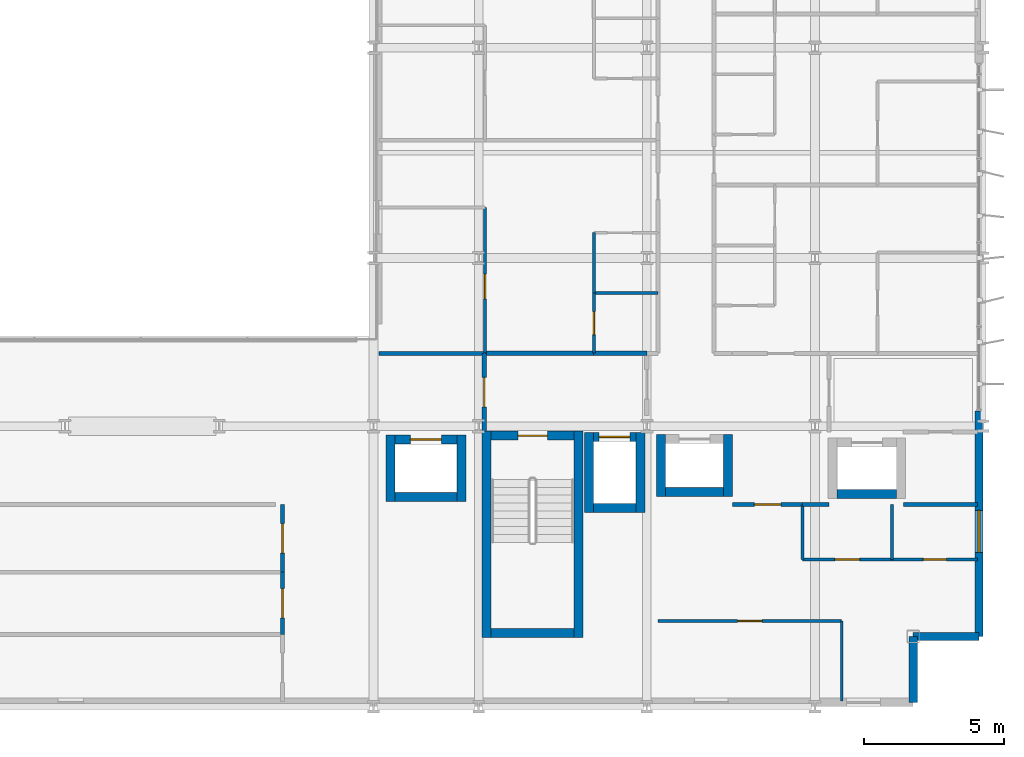
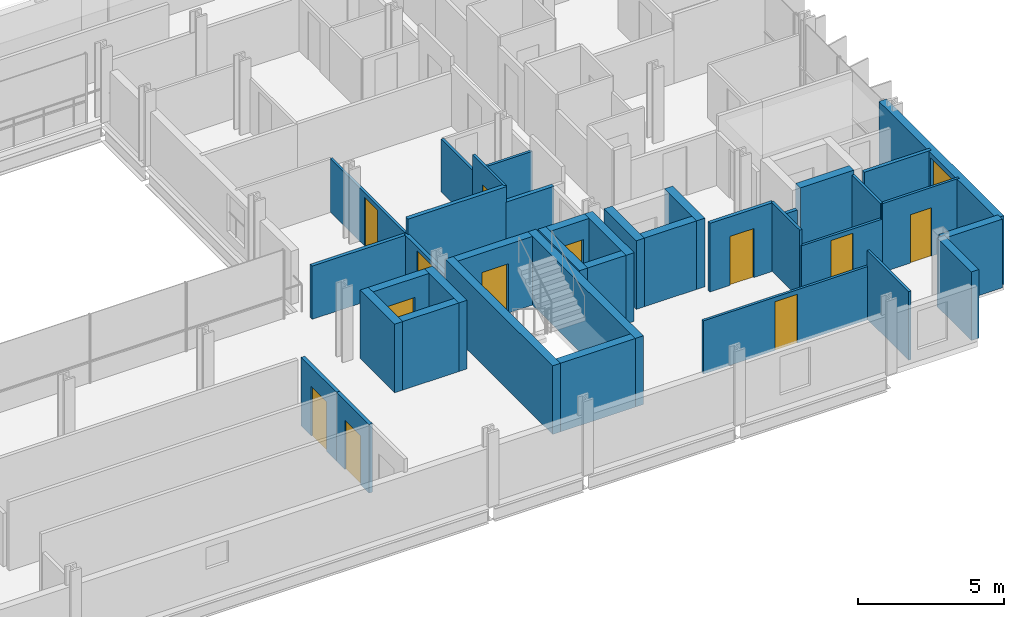
# One storey, part 30 of 39: 38 walls, 12 doors, 1 window, 13 openings.
"""IFC4 building model written with IfcOpenShell, lengths in metres."""

from ifc_helpers import new_model, si_unit, direction, frame, frame_2d, origin, place, context, subcontext, project, spatial, rectangle, extrude, material, layer, layer_set, type_object, element, fill, save


model = new_model("IFC4")

# Units and contexts
model_context = context("Model", 3, precision=1e-05, world=origin(), true_north=direction((0.0, 1.0)))
body_context = subcontext(model_context, "Body", "Model", "MODEL_VIEW")
ifc_project = project(units=[si_unit("LENGTHUNIT", "METRE"), si_unit("AREAUNIT", "SQUARE_METRE"), si_unit("VOLUMEUNIT", "CUBIC_METRE"), si_unit("PLANEANGLEUNIT", "RADIAN"), si_unit("MASSUNIT", "GRAM", prefix="KILO")], contexts=[model_context])

# Site, building, storey
site_placement = place(None, origin())
site = spatial("IfcSite", under=ifc_project, at=site_placement, CompositionType="ELEMENT")
building_placement = place(site_placement, origin())
building = spatial("IfcBuilding", under=site, at=building_placement, Name="Brevholm Reach", CompositionType="ELEMENT")
storey_placement = place(building_placement, frame((0.0, 0.0, 34.199951171875)))
storey = spatial("IfcBuildingStorey", under=building, at=storey_placement, Name="L08", CompositionType="ELEMENT", Elevation=34.199951171875)

# Walls
ifc_material_1 = material(Name="Concrete C60/75", Category="concrete")
ifc_layer_1 = layer(ifc_material_1, 0.320068359375)
ifc_layer_set_1 = layer_set([ifc_layer_1], Name="Concrete C60/75")
wall_type_1 = type_object("IfcWallType", Name="WAL-COR-320", PredefinedType="SHEAR", material=ifc_layer_set_1)
for number, where, z_axis, x_axis, name in (
    (1, (42.2900390625, 2.4599609375, 0.0), (0.0, 0.0, 1.0), (0.0, 1.0, 0.0), "L08 Escape Stair ST-2 Core Wall W"),
    (2, (45.56005859375, 2.4599609375, 0.0), (0.0, 0.0, 1.0), (0.0, 1.0, 0.0), "L08 Escape Stair ST-2 Core Wall E"),
):
    element("IfcWall", number, at=place(storey_placement, frame(where, z_axis=z_axis, x_axis=x_axis)), inside=storey, type_object=wall_type_1, Name=name, PredefinedType="SHEAR", context=body_context, shape_type="SweptSolid", body=[
        extrude(rectangle(XDim=7.360107421875, YDim=0.320068359375, at=frame_2d((3.68017578125, 0.0))), origin(), (0.0, 0.0, 1.0), 2.8701171875),
    ])
wall_1_placement = place(storey_placement, frame((42.449951171875, 2.6201171875, 0.0), z_axis=(0.0, 0.0, 1.0), x_axis=(1.0, 0.0, 0.0)))
element("IfcWall", 3, at=wall_1_placement, inside=storey, type_object=wall_type_1, Name="L08 Escape Stair ST-2 Core Wall S", PredefinedType="SHEAR", context=body_context, shape_type="SweptSolid", body=[
    extrude(rectangle(XDim=2.949951171875, YDim=0.320068359375, at=frame_2d((1.47509765625, 0.0))), origin(), (0.0, 0.0, 1.0), 2.8701171875),
])

# Wall, opening, door
wall_2_placement = place(storey_placement, frame((45.39990234375, 9.659912109375, 0.0), z_axis=(0.0, 0.0, 1.0), x_axis=(-1.0, 0.0, 0.0)))
wall_2 = element("IfcWall", 4, at=wall_2_placement, inside=storey, type_object=wall_type_1, Name="L08 Escape Stair ST-2 Core Wall N", PredefinedType="SHEAR", context=body_context, shape_type="SweptSolid", body=[
    extrude(rectangle(XDim=2.949951171875, YDim=0.320068359375, at=frame_2d((1.47509765625, 0.0))), origin(), (0.0, 0.0, 1.0), 2.8701171875),
])
opening_1_placement = place(wall_2_placement, frame((0.949951171875, 0.0, 0.0)))
opening_1 = element("IfcOpeningElement", 5, at=opening_1_placement, cuts=wall_2, Name="Opening SD-ST-2", PredefinedType="OPENING", context=body_context, shape_type="SweptSolid", body=[
    extrude(rectangle(XDim=1.050048828125, YDim=2.06005859375, at=frame_2d((0.52490234375, 1.030029296875))), frame((0.0, 0.169921875, 0.0), z_axis=(0.0, -1.0, 0.0), x_axis=(1.0, 0.0, 0.0)), (0.0, 0.0, 1.0), 0.340087890625),
])
ifc_material_2 = material(Name="Hardwood-Lipped Steel-Core Fire and Smoke Door", Category="steel")
door_type_1 = type_object("IfcDoorType", Name="DOR-INT-FD60S", OperationType="NOTDEFINED", PredefinedType="DOOR", material=ifc_material_2)
door_1_placement = place(opening_1_placement, origin())
door_1 = element("IfcDoor", 6, at=door_1_placement, inside=storey, type_object=door_type_1, Name="L08 Protected Stair ST-2 Lobby Door", OperationType="SINGLE_SWING_LEFT", OverallHeight=2.06005859375, OverallWidth=1.050048828125, PredefinedType="DOOR", context=body_context, shape_type="SweptSolid", body=[
    extrude(rectangle(XDim=1.050048828125, YDim=2.06005859375, at=frame_2d((0.52490234375, 1.030029296875))), frame((0.0, 0.02490234375, 0.0), z_axis=(0.0, -1.0, 0.0), x_axis=(1.0, 0.0, 0.0)), (0.0, 0.0, 1.0), 0.050048828125),
])
fill(opening_1, door_1)

# Walls
for number, where, z_axis, x_axis, name in (
    (7, (45.929931640625, 6.919921875, 0.0), (0.0, 0.0, 1.0), (0.0, 1.0, 0.0), "L08 Lift FFL-2 Shaft Wall W"),
    (8, (47.77001953125, 6.919921875, 0.0), (0.0, 0.0, 1.0), (0.0, 1.0, 0.0), "L08 Lift FFL-2 Shaft Wall E"),
):
    element("IfcWall", number, at=place(storey_placement, frame(where, z_axis=z_axis, x_axis=x_axis)), inside=storey, type_object=wall_type_1, Name=name, PredefinedType="SHEAR", context=body_context, shape_type="SweptSolid", body=[
        extrude(rectangle(XDim=2.860107421875, YDim=0.320068359375, at=frame_2d((1.43017578125, 0.0))), origin(), (0.0, 0.0, 1.0), 2.8701171875),
    ])
wall_3_placement = place(storey_placement, frame((46.090087890625, 7.080078125, 0.0), z_axis=(0.0, 0.0, 1.0), x_axis=(1.0, 0.0, 0.0)))
element("IfcWall", 9, at=wall_3_placement, inside=storey, type_object=wall_type_1, Name="L08 Lift FFL-2 Shaft Wall S", PredefinedType="SHEAR", context=body_context, shape_type="SweptSolid", body=[
    extrude(rectangle(XDim=1.52001953125, YDim=0.320068359375, at=frame_2d((0.760009765625, 0.0))), origin(), (0.0, 0.0, 1.0), 2.8701171875),
])

# Wall, opening, door
wall_4_placement = place(storey_placement, frame((46.090087890625, 9.6201171875, 0.0), z_axis=(0.0, 0.0, 1.0), x_axis=(1.0, 0.0, 0.0)))
wall_4 = element("IfcWall", 10, at=wall_4_placement, inside=storey, type_object=wall_type_1, Name="L08 Lift FFL-2 Shaft Wall N", PredefinedType="SHEAR", context=body_context, shape_type="SweptSolid", body=[
    extrude(rectangle(XDim=1.52001953125, YDim=0.320068359375, at=frame_2d((0.760009765625, 0.0))), origin(), (0.0, 0.0, 1.0), 2.8701171875),
])
opening_2_placement = place(wall_4_placement, frame((0.2099609375, 0.0, 0.0)))
opening_2 = element("IfcOpeningElement", 11, at=opening_2_placement, cuts=wall_4, Name="Opening LD-FFL-2", PredefinedType="OPENING", context=body_context, shape_type="SweptSolid", body=[
    extrude(rectangle(XDim=1.10009765625, YDim=2.06005859375, at=frame_2d((0.550048828125, 1.030029296875))), frame((0.0, 0.169921875, 0.0), z_axis=(0.0, -1.0, 0.0), x_axis=(1.0, 0.0, 0.0)), (0.0, 0.0, 1.0), 0.340087890625),
])
ifc_material_3 = material(Name="Brushed Stainless Steel Fire-Rated Sliding Lift Door", Category="steel")
door_type_2 = type_object("IfcDoorType", Name="DOR-LFT-1100", OperationType="NOTDEFINED", PredefinedType="DOOR", material=ifc_material_3)
door_2_placement = place(opening_2_placement, origin())
door_2 = element("IfcDoor", 12, at=door_2_placement, inside=storey, type_object=door_type_2, Name="L08 Lift FFL-2 Sliding Landing Door", OperationType="SLIDING_TO_LEFT", OverallHeight=2.06005859375, OverallWidth=1.10009765625, PredefinedType="DOOR", context=body_context, shape_type="SweptSolid", body=[
    extrude(rectangle(XDim=1.10009765625, YDim=2.06005859375, at=frame_2d((0.550048828125, 1.030029296875))), frame((0.0, 0.02490234375, 0.0), z_axis=(0.0, -1.0, 0.0), x_axis=(1.0, 0.0, 0.0)), (0.0, 0.0, 1.0), 0.050048828125),
])
fill(opening_2, door_2)

# Walls
for number, where, z_axis, x_axis, name in (
    (13, (48.5048828125, 7.4951171875, 0.0), (0.0, 0.0, 1.0), (0.0, 1.0, 0.0), "L08 Lift PL-L1 Shaft Wall W"),
    (14, (50.89501953125, 7.4951171875, 0.0), (0.0, 0.0, 1.0), (0.0, 1.0, 0.0), "L08 Lift PL-L1 Shaft Wall E"),
):
    element("IfcWall", number, at=place(storey_placement, frame(where, z_axis=z_axis, x_axis=x_axis)), inside=storey, type_object=wall_type_1, Name=name, PredefinedType="SHEAR", context=body_context, shape_type="SweptSolid", body=[
        extrude(rectangle(XDim=2.2099609375, YDim=0.320068359375, at=frame_2d((1.10498046875, 0.0))), origin(), (0.0, 0.0, 1.0), 2.8701171875),
    ])
wall_5_placement = place(storey_placement, frame((48.6650390625, 7.655029296875, 0.0), z_axis=(0.0, 0.0, 1.0), x_axis=(1.0, 0.0, 0.0)))
element("IfcWall", 15, at=wall_5_placement, inside=storey, type_object=wall_type_1, Name="L08 Lift PL-L1 Shaft Wall S", PredefinedType="SHEAR", context=body_context, shape_type="SweptSolid", body=[
    extrude(rectangle(XDim=2.070068359375, YDim=0.320068359375, at=frame_2d((1.03515625, 0.0))), origin(), (0.0, 0.0, 1.0), 2.8701171875),
])
wall_6_placement = place(storey_placement, frame((54.7900390625, 7.580078125, 0.0), z_axis=(0.0, 0.0, 1.0), x_axis=(1.0, 0.0, 0.0)))
element("IfcWall", 16, at=wall_6_placement, inside=storey, type_object=wall_type_1, Name="L08 Lift PL-L2 Shaft Wall S", PredefinedType="SHEAR", context=body_context, shape_type="SweptSolid", body=[
    extrude(rectangle(XDim=2.119873046875, YDim=0.320068359375, at=frame_2d((1.06005859375, 0.0))), origin(), (0.0, 0.0, 1.0), 2.8701171875),
])
for number, where, z_axis, x_axis, name in (
    (17, (38.85009765625, 7.320068359375, 0.0), (0.0, 0.0, 1.0), (0.0, 1.0, 0.0), "L08 Lift PL-S1 Shaft Wall W"),
    (18, (41.389892578125, 7.320068359375, 0.0), (0.0, 0.0, 1.0), (0.0, 1.0, 0.0), "L08 Lift PL-S1 Shaft Wall E"),
):
    element("IfcWall", number, at=place(storey_placement, frame(where, z_axis=z_axis, x_axis=x_axis)), inside=storey, type_object=wall_type_1, Name=name, PredefinedType="SHEAR", context=body_context, shape_type="SweptSolid", body=[
        extrude(rectangle(XDim=2.35986328125, YDim=0.320068359375, at=frame_2d((1.179931640625, 0.0))), origin(), (0.0, 0.0, 1.0), 2.8701171875),
    ])
wall_7_placement = place(storey_placement, frame((39.010009765625, 7.47998046875, 0.0), z_axis=(0.0, 0.0, 1.0), x_axis=(1.0, 0.0, 0.0)))
element("IfcWall", 19, at=wall_7_placement, inside=storey, type_object=wall_type_1, Name="L08 Lift PL-S1 Shaft Wall S", PredefinedType="SHEAR", context=body_context, shape_type="SweptSolid", body=[
    extrude(rectangle(XDim=2.219970703125, YDim=0.320068359375, at=frame_2d((1.10986328125, 0.0))), origin(), (0.0, 0.0, 1.0), 2.8701171875),
])

# Wall, opening, door
wall_8_placement = place(storey_placement, frame((39.010009765625, 9.52001953125, 0.0), z_axis=(0.0, 0.0, 1.0), x_axis=(1.0, 0.0, 0.0)))
wall_8 = element("IfcWall", 20, at=wall_8_placement, inside=storey, type_object=wall_type_1, Name="L08 Lift PL-S1 Shaft Wall N", PredefinedType="SHEAR", context=body_context, shape_type="SweptSolid", body=[
    extrude(rectangle(XDim=2.219970703125, YDim=0.320068359375, at=frame_2d((1.10986328125, 0.0))), origin(), (0.0, 0.0, 1.0), 2.8701171875),
])
opening_3_placement = place(wall_8_placement, frame((0.56005859375, 0.0, 0.0)))
opening_3 = element("IfcOpeningElement", 21, at=opening_3_placement, cuts=wall_8, Name="Opening LD-PL-S1", PredefinedType="OPENING", context=body_context, shape_type="SweptSolid", body=[
    extrude(rectangle(XDim=1.10009765625, YDim=2.06005859375, at=frame_2d((0.550048828125, 1.030029296875))), frame((0.0, 0.169921875, 0.0), z_axis=(0.0, -1.0, 0.0), x_axis=(1.0, 0.0, 0.0)), (0.0, 0.0, 1.0), 0.340087890625),
])
door_3_placement = place(opening_3_placement, origin())
door_3 = element("IfcDoor", 22, at=door_3_placement, inside=storey, type_object=door_type_2, Name="L08 Lift PL-S1 Sliding Landing Door", OperationType="SLIDING_TO_RIGHT", OverallHeight=2.06005859375, OverallWidth=1.10009765625, PredefinedType="DOOR", context=body_context, shape_type="SweptSolid", body=[
    extrude(rectangle(XDim=1.10009765625, YDim=2.06005859375, at=frame_2d((0.550048828125, 1.030029296875))), frame((0.0, 0.02490234375, 0.0), z_axis=(0.0, -1.0, 0.0), x_axis=(1.0, 0.0, 0.0)), (0.0, 0.0, 1.0), 0.050048828125),
])
fill(opening_3, door_3)

# Walls
ifc_material_4 = material(Name="Concrete C40/50", Category="concrete")
ifc_layer_2 = layer(ifc_material_4, 0.300048828125)
ifc_layer_set_2 = layer_set([ifc_layer_2], Name="Concrete C40/50")
wall_type_2 = type_object("IfcWallType", Name="WAL-EXT-300", PredefinedType="STANDARD", material=ifc_layer_set_2)
for number, where, z_axis, x_axis, name in (
    (23, (57.5, 0.14990234375, 0.0), (0.0, 0.0, 1.0), (0.0, 1.0, 0.0), "L08 Facade Wall WAL-L08-CSE1"),
    (24, (57.5, 2.5, 0.0), (0.0, 0.0, 1.0), (1.0, 0.0, 0.0), "L08 Facade Wall WAL-L08-CSE2"),
):
    element("IfcWall", number, at=place(storey_placement, frame(where, z_axis=z_axis, x_axis=x_axis)), inside=storey, type_object=wall_type_2, Name=name, PredefinedType="STANDARD", context=body_context, shape_type="SweptSolid", body=[
        extrude(rectangle(XDim=2.35009765625, YDim=0.300048828125, at=frame_2d((1.175048828125, 0.0))), origin(), (0.0, 0.0, 1.0), 2.8701171875),
    ])

# Wall, opening, window
wall_9_placement = place(storey_placement, frame((59.85009765625, 2.5, 0.0), z_axis=(0.0, 0.0, 1.0), x_axis=(0.0, 1.0, 0.0)))
wall_9 = element("IfcWall", 25, at=wall_9_placement, inside=storey, type_object=wall_type_2, Name="L08 Facade Wall WAL-L08-E-S", PredefinedType="STANDARD", context=body_context, shape_type="SweptSolid", body=[
    extrude(rectangle(XDim=8.050048828125, YDim=0.300048828125, at=frame_2d((4.02490234375, 0.0))), origin(), (0.0, 0.0, 1.0), 2.8701171875),
])
opening_4_placement = place(wall_9_placement, frame((3.0, 0.0, 0.85009765625)))
opening_4 = element("IfcOpeningElement", 26, at=opening_4_placement, cuts=wall_9, Name="Opening WN-05", PredefinedType="OPENING", context=body_context, shape_type="SweptSolid", body=[
    extrude(rectangle(XDim=1.5, YDim=1.800048828125, at=frame_2d((0.75, 0.89990234375))), frame((0.0, 0.159912109375, 0.0), z_axis=(0.0, -1.0, 0.0), x_axis=(1.0, 0.0, 0.0)), (0.0, 0.0, 1.0), 0.320068359375),
])
ifc_material_5 = material(Name="Dark Anodised Aluminium and Solar-Control IGU Glass", Category="aluminium")
window_type = type_object("IfcWindowType", Name="WIN-RES-1500", PartitioningType="SINGLE_PANEL", PredefinedType="WINDOW", material=ifc_material_5)
window_placement = place(opening_4_placement, origin())
window = element("IfcWindow", 27, at=window_placement, inside=storey, type_object=window_type, Name="L08 Window WIN-L08-ES-1", OverallHeight=1.800048828125, OverallWidth=1.5, PartitioningType="SINGLE_PANEL", PredefinedType="WINDOW", context=body_context, shape_type="SweptSolid", body=[
    extrude(rectangle(XDim=1.5, YDim=1.800048828125, at=frame_2d((0.75, 0.89990234375))), frame((0.0, 0.030029296875, 0.0), z_axis=(0.0, -1.0, 0.0), x_axis=(1.0, 0.0, 0.0)), (0.0, 0.0, 1.0), 0.06005859375),
])
fill(opening_4, window)

# Wall
ifc_material_6 = material(Name="Moisture-Resistant Acoustic Gypsum Stud Partition 100 mm", Category="gypsum")
ifc_layer_3 = layer(ifc_material_6, 0.10009765625)
ifc_layer_set_3 = layer_set([ifc_layer_3], Name="Moisture-Resistant Acoustic Gypsum Stud Partition 100 mm")
wall_type_3 = type_object("IfcWallType", Name="WAL-PRT-100", PredefinedType="PARTITIONING", material=ifc_layer_set_3)
wall_10_placement = place(storey_placement, frame((56.75, 5.25, 0.0), z_axis=(0.0, 0.0, 1.0), x_axis=(0.0, 1.0, 0.0)))
element("IfcWall", 28, at=wall_10_placement, inside=storey, type_object=wall_type_3, Name="L08 Internal Partition 080", PredefinedType="PARTITIONING", context=body_context, shape_type="SweptSolid", body=[
    extrude(rectangle(XDim=1.949951171875, YDim=0.10009765625, at=frame_2d((0.97509765625, 0.0))), origin(), (0.0, 0.0, 1.0), 2.8701171875),
])

# Wall, opening, door
wall_11_placement = place(storey_placement, frame((56.75, 5.25, 0.0), z_axis=(0.0, 0.0, 1.0), x_axis=(1.0, 0.0, 0.0)))
wall_11 = element("IfcWall", 29, at=wall_11_placement, inside=storey, type_object=wall_type_3, Name="L08 Internal Partition 081", PredefinedType="PARTITIONING", context=body_context, shape_type="SweptSolid", body=[
    extrude(rectangle(XDim=3.050048828125, YDim=0.10009765625, at=frame_2d((1.52490234375, 0.0))), origin(), (0.0, 0.0, 1.0), 2.8701171875),
])
opening_5_placement = place(wall_11_placement, frame((1.114990234375, 0.0, 0.0)))
opening_5 = element("IfcOpeningElement", 30, at=opening_5_placement, cuts=wall_11, Name="Opening ID-03", PredefinedType="OPENING", context=body_context, shape_type="SweptSolid", body=[
    extrude(rectangle(XDim=0.820068359375, YDim=2.02001953125, at=frame_2d((0.41015625, 1.010009765625))), frame((0.0, 0.06005859375, 0.0), z_axis=(0.0, -1.0, 0.0), x_axis=(1.0, 0.0, 0.0)), (0.0, 0.0, 1.0), 0.1201171875),
])
ifc_material_7 = material(Name="Moisture-Resistant Painted Timber Internal Bathroom Door", Category="wood")
door_type_3 = type_object("IfcDoorType", Name="DOR-BATH-820", OperationType="NOTDEFINED", PredefinedType="DOOR", material=ifc_material_7)
door_4_placement = place(opening_5_placement, origin())
door_4 = element("IfcDoor", 31, at=door_4_placement, inside=storey, type_object=door_type_3, Name="L08 Internal Door 028", OperationType="SINGLE_SWING_RIGHT", OverallHeight=2.02001953125, OverallWidth=0.820068359375, PredefinedType="DOOR", context=body_context, shape_type="SweptSolid", body=[
    extrude(rectangle(XDim=0.820068359375, YDim=2.02001953125, at=frame_2d((0.41015625, 1.010009765625))), frame((0.0, 0.02490234375, 0.0), z_axis=(0.0, -1.0, 0.0), x_axis=(1.0, 0.0, 0.0)), (0.0, 0.0, 1.0), 0.050048828125),
])
fill(opening_5, door_4)

wall_12_placement = place(storey_placement, frame((53.55810546875, 5.25, 0.0), z_axis=(0.0, 0.0, 1.0), x_axis=(1.0, 0.0, 0.0)))
wall_12 = element("IfcWall", 32, at=wall_12_placement, inside=storey, type_object=wall_type_3, Name="L08 Internal Partition 082", PredefinedType="PARTITIONING", context=body_context, shape_type="SweptSolid", body=[
    extrude(rectangle(XDim=3.18798828125, YDim=0.10009765625, at=frame_2d((1.593994140625, 0.0))), origin(), (0.0, 0.0, 1.0), 2.224853515625),
])
opening_6_placement = place(wall_12_placement, frame((1.154052734375, 0.0, 0.0)))
opening_6 = element("IfcOpeningElement", 33, at=opening_6_placement, cuts=wall_12, Name="Opening ID-01", PredefinedType="OPENING", context=body_context, shape_type="SweptSolid", body=[
    extrude(rectangle(XDim=0.8798828125, YDim=2.0400390625, at=frame_2d((0.43994140625, 1.02001953125))), frame((0.0, 0.06005859375, 0.0), z_axis=(0.0, -1.0, 0.0), x_axis=(1.0, 0.0, 0.0)), (0.0, 0.0, 1.0), 0.1201171875),
])
ifc_material_8 = material(Name="Lacquered Ash Solid-Core Acoustic Internal Door", Category="timber")
door_type_4 = type_object("IfcDoorType", Name="DOR-INT-880", OperationType="NOTDEFINED", PredefinedType="DOOR", material=ifc_material_8)
door_5_placement = place(opening_6_placement, origin())
door_5 = element("IfcDoor", 34, at=door_5_placement, inside=storey, type_object=door_type_4, Name="L08 Internal Door 029", OperationType="SINGLE_SWING_LEFT", OverallHeight=2.0400390625, OverallWidth=0.8798828125, PredefinedType="DOOR", context=body_context, shape_type="SweptSolid", body=[
    extrude(rectangle(XDim=0.8798828125, YDim=2.0400390625, at=frame_2d((0.43994140625, 1.02001953125))), frame((0.0, 0.02490234375, 0.0), z_axis=(0.0, -1.0, 0.0), x_axis=(1.0, 0.0, 0.0)), (0.0, 0.0, 1.0), 0.050048828125),
])
fill(opening_6, door_5)

# Walls
wall_13_placement = place(storey_placement, frame((53.55810546875, 5.25, 0.0), z_axis=(0.0, 0.0, 1.0), x_axis=(0.0, 1.0, 0.0)))
element("IfcWall", 35, at=wall_13_placement, inside=storey, type_object=wall_type_3, Name="L08 Internal Partition 083", PredefinedType="PARTITIONING", context=body_context, shape_type="SweptSolid", body=[
    extrude(rectangle(XDim=1.946044921875, YDim=0.10009765625, at=frame_2d((0.97314453125, 0.0))), origin(), (0.0, 0.0, 1.0), 2.8701171875),
])
wall_14_placement = place(storey_placement, frame((54.949951171875, 0.199951171875, 0.0), z_axis=(0.0, 0.0, 1.0), x_axis=(0.0, 1.0, 0.0)))
element("IfcWall", 36, at=wall_14_placement, inside=storey, type_object=wall_type_3, Name="L08 Internal Partition 084", PredefinedType="PARTITIONING", context=body_context, shape_type="SweptSolid", body=[
    extrude(rectangle(XDim=2.85009765625, YDim=0.10009765625, at=frame_2d((1.425048828125, 0.0))), origin(), (0.0, 0.0, 1.0), 2.8701171875),
])

# Wall, opening, door
wall_15_placement = place(storey_placement, frame((48.39990234375, 3.050048828125, 0.0), z_axis=(0.0, 0.0, 1.0), x_axis=(1.0, 0.0, 0.0)))
wall_15 = element("IfcWall", 37, at=wall_15_placement, inside=storey, type_object=wall_type_3, Name="L08 Internal Partition 085", PredefinedType="PARTITIONING", context=body_context, shape_type="SweptSolid", body=[
    extrude(rectangle(XDim=6.550048828125, YDim=0.10009765625, at=frame_2d((3.27490234375, 0.0))), origin(), (0.0, 0.0, 1.0), 2.224853515625),
])
opening_7_placement = place(wall_15_placement, frame((2.8349609375, 0.0, 0.0)))
opening_7 = element("IfcOpeningElement", 38, at=opening_7_placement, cuts=wall_15, Name="Opening ID-01", PredefinedType="OPENING", context=body_context, shape_type="SweptSolid", body=[
    extrude(rectangle(XDim=0.8798828125, YDim=2.0400390625, at=frame_2d((0.43994140625, 1.02001953125))), frame((0.0, 0.06005859375, 0.0), z_axis=(0.0, -1.0, 0.0), x_axis=(1.0, 0.0, 0.0)), (0.0, 0.0, 1.0), 0.1201171875),
])
door_6_placement = place(opening_7_placement, origin())
door_6 = element("IfcDoor", 39, at=door_6_placement, inside=storey, type_object=door_type_4, Name="L08 Internal Door 030", OperationType="SINGLE_SWING_RIGHT", OverallHeight=2.0400390625, OverallWidth=0.8798828125, PredefinedType="DOOR", context=body_context, shape_type="SweptSolid", body=[
    extrude(rectangle(XDim=0.8798828125, YDim=2.0400390625, at=frame_2d((0.43994140625, 1.02001953125))), frame((0.0, 0.02490234375, 0.0), z_axis=(0.0, -1.0, 0.0), x_axis=(1.0, 0.0, 0.0)), (0.0, 0.0, 1.0), 0.050048828125),
])
fill(opening_7, door_6)

# Wall
wall_16_placement = place(storey_placement, frame((46.112060546875, 14.75, 0.0), z_axis=(0.0, 0.0, 1.0), x_axis=(1.0, 0.0, 0.0)))
element("IfcWall", 40, at=wall_16_placement, inside=storey, type_object=wall_type_3, Name="L08 Internal Partition 124", PredefinedType="PARTITIONING", context=body_context, shape_type="SweptSolid", body=[
    extrude(rectangle(XDim=2.283935546875, YDim=0.10009765625, at=frame_2d((1.14208984375, 0.0))), origin(), (0.0, 0.0, 1.0), 2.224853515625),
])

# Wall, opening, door
wall_17_placement = place(storey_placement, frame((46.112060546875, 12.60400390625, 0.0), z_axis=(0.0, 0.0, 1.0), x_axis=(0.0, 1.0, 0.0)))
wall_17 = element("IfcWall", 41, at=wall_17_placement, inside=storey, type_object=wall_type_3, Name="L08 Internal Partition 125", PredefinedType="PARTITIONING", context=body_context, shape_type="SweptSolid", body=[
    extrude(rectangle(XDim=2.14599609375, YDim=0.10009765625, at=frame_2d((1.072998046875, 0.0))), origin(), (0.0, 0.0, 1.0), 2.8701171875),
])
opening_8_placement = place(wall_17_placement, frame((0.6630859375, 0.0, 0.0)))
opening_8 = element("IfcOpeningElement", 42, at=opening_8_placement, cuts=wall_17, Name="Opening ID-03", PredefinedType="OPENING", context=body_context, shape_type="SweptSolid", body=[
    extrude(rectangle(XDim=0.820068359375, YDim=2.02001953125, at=frame_2d((0.41015625, 1.010009765625))), frame((0.0, 0.06005859375, 0.0), z_axis=(0.0, -1.0, 0.0), x_axis=(1.0, 0.0, 0.0)), (0.0, 0.0, 1.0), 0.1201171875),
])
door_7_placement = place(opening_8_placement, origin())
door_7 = element("IfcDoor", 43, at=door_7_placement, inside=storey, type_object=door_type_3, Name="L08 Internal Door 046", OperationType="SINGLE_SWING_RIGHT", OverallHeight=2.02001953125, OverallWidth=0.820068359375, PredefinedType="DOOR", context=body_context, shape_type="SweptSolid", body=[
    extrude(rectangle(XDim=0.820068359375, YDim=2.02001953125, at=frame_2d((0.41015625, 1.010009765625))), frame((0.0, 0.02490234375, 0.0), z_axis=(0.0, -1.0, 0.0), x_axis=(1.0, 0.0, 0.0)), (0.0, 0.0, 1.0), 0.050048828125),
])
fill(opening_8, door_7)

# Wall
wall_18_placement = place(storey_placement, frame((46.112060546875, 14.75390625, 0.0), z_axis=(0.0, 0.0, 1.0), x_axis=(0.0, 1.0, 0.0)))
element("IfcWall", 44, at=wall_18_placement, inside=storey, type_object=wall_type_3, Name="L08 Internal Partition 127", PredefinedType="PARTITIONING", context=body_context, shape_type="SweptSolid", body=[
    extrude(rectangle(XDim=2.14599609375, YDim=0.10009765625, at=frame_2d((1.072998046875, 0.0))), origin(), (0.0, 0.0, 1.0), 2.224853515625),
])

# Wall, opening, door
wall_19_placement = place(storey_placement, frame((42.23095703125, 12.60400390625, 0.0), z_axis=(0.0, 0.0, 1.0), x_axis=(0.0, 1.0, 0.0)))
wall_19 = element("IfcWall", 45, at=wall_19_placement, inside=storey, type_object=wall_type_3, Name="L08 Internal Partition 128", PredefinedType="PARTITIONING", context=body_context, shape_type="SweptSolid", body=[
    extrude(rectangle(XDim=5.196044921875, YDim=0.10009765625, at=frame_2d((2.59814453125, 0.0))), origin(), (0.0, 0.0, 1.0), 2.224853515625),
])
opening_9_placement = place(wall_19_placement, frame((1.93798828125, 0.0, 0.0)))
opening_9 = element("IfcOpeningElement", 46, at=opening_9_placement, cuts=wall_19, Name="Opening ID-01", PredefinedType="OPENING", context=body_context, shape_type="SweptSolid", body=[
    extrude(rectangle(XDim=0.8798828125, YDim=2.0400390625, at=frame_2d((0.43994140625, 1.02001953125))), frame((0.0, 0.06005859375, 0.0), z_axis=(0.0, -1.0, 0.0), x_axis=(1.0, 0.0, 0.0)), (0.0, 0.0, 1.0), 0.1201171875),
])
door_8_placement = place(opening_9_placement, origin())
door_8 = element("IfcDoor", 47, at=door_8_placement, inside=storey, type_object=door_type_4, Name="L08 Internal Door 048", OperationType="SINGLE_SWING_RIGHT", OverallHeight=2.0400390625, OverallWidth=0.8798828125, PredefinedType="DOOR", context=body_context, shape_type="SweptSolid", body=[
    extrude(rectangle(XDim=0.8798828125, YDim=2.0400390625, at=frame_2d((0.43994140625, 1.02001953125))), frame((0.0, 0.02490234375, 0.0), z_axis=(0.0, -1.0, 0.0), x_axis=(1.0, 0.0, 0.0)), (0.0, 0.0, 1.0), 0.050048828125),
])
fill(opening_9, door_8)

ifc_material_9 = material(Name="Twin-Stud Acoustic Fire-Rated Gypsum Partition 140 mm", Category="gypsum")
ifc_layer_4 = layer(ifc_material_9, 0.139892578125)
ifc_layer_set_4 = layer_set([ifc_layer_4], Name="Twin-Stud Acoustic Fire-Rated Gypsum Partition 140 mm")
wall_type_4 = type_object("IfcWallType", Name="WAL-PRT-140", PredefinedType="PARTITIONING", material=ifc_layer_set_4)
wall_20_placement = place(storey_placement, frame((35.0, 2.569580078125, 0.0), z_axis=(0.0, 0.0, 1.0), x_axis=(0.0, 1.0, 0.0)))
wall_20 = element("IfcWall", 48, at=wall_20_placement, inside=storey, type_object=wall_type_4, Name="L08 Internal Partition 002", PredefinedType="PARTITIONING", context=body_context, shape_type="SweptSolid", body=[
    extrude(rectangle(XDim=2.230712890625, YDim=0.139892578125, at=frame_2d((1.115234375, 0.0))), origin(), (0.0, 0.0, 1.0), 2.8701171875),
])
opening_10_placement = place(wall_20_placement, frame((0.59033203125, 0.0, 0.0)))
opening_10 = element("IfcOpeningElement", 49, at=opening_10_placement, cuts=wall_20, Name="Opening FD-01", PredefinedType="OPENING", context=body_context, shape_type="SweptSolid", body=[
    extrude(rectangle(XDim=1.050048828125, YDim=2.06005859375, at=frame_2d((0.52490234375, 1.030029296875))), frame((0.0, 0.079833984375, 0.0), z_axis=(0.0, -1.0, 0.0), x_axis=(1.0, 0.0, 0.0)), (0.0, 0.0, 1.0), 0.159912109375),
])
door_9_placement = place(opening_10_placement, origin())
door_9 = element("IfcDoor", 50, at=door_9_placement, inside=storey, type_object=door_type_1, Name="L08 Internal Door 002", OperationType="SINGLE_SWING_RIGHT", OverallHeight=2.06005859375, OverallWidth=1.050048828125, PredefinedType="DOOR", context=body_context, shape_type="SweptSolid", body=[
    extrude(rectangle(XDim=1.050048828125, YDim=2.06005859375, at=frame_2d((0.52490234375, 1.030029296875))), frame((0.0, 0.02490234375, 0.0), z_axis=(0.0, -1.0, 0.0), x_axis=(1.0, 0.0, 0.0)), (0.0, 0.0, 1.0), 0.050048828125),
])
fill(opening_10, door_9)

wall_21_placement = place(storey_placement, frame((35.0, 4.78173828125, 0.0), z_axis=(0.0, 0.0, 1.0), x_axis=(0.0, 1.0, 0.0)))
wall_21 = element("IfcWall", 51, at=wall_21_placement, inside=storey, type_object=wall_type_4, Name="L08 Internal Partition 003", PredefinedType="PARTITIONING", context=body_context, shape_type="SweptSolid", body=[
    extrude(rectangle(XDim=2.429443359375, YDim=0.139892578125, at=frame_2d((1.21484375, 0.0))), origin(), (0.0, 0.0, 1.0), 2.8701171875),
])
opening_11_placement = place(wall_21_placement, frame((0.689697265625, 0.0, 0.0)))
opening_11 = element("IfcOpeningElement", 52, at=opening_11_placement, cuts=wall_21, Name="Opening FD-01", PredefinedType="OPENING", context=body_context, shape_type="SweptSolid", body=[
    extrude(rectangle(XDim=1.050048828125, YDim=2.06005859375, at=frame_2d((0.52490234375, 1.030029296875))), frame((0.0, 0.079833984375, 0.0), z_axis=(0.0, -1.0, 0.0), x_axis=(1.0, 0.0, 0.0)), (0.0, 0.0, 1.0), 0.159912109375),
])
door_10_placement = place(opening_11_placement, origin())
door_10 = element("IfcDoor", 53, at=door_10_placement, inside=storey, type_object=door_type_1, Name="L08 Internal Door 003", OperationType="SINGLE_SWING_LEFT", OverallHeight=2.06005859375, OverallWidth=1.050048828125, PredefinedType="DOOR", context=body_context, shape_type="SweptSolid", body=[
    extrude(rectangle(XDim=1.050048828125, YDim=2.06005859375, at=frame_2d((0.52490234375, 1.030029296875))), frame((0.0, 0.02490234375, 0.0), z_axis=(0.0, -1.0, 0.0), x_axis=(1.0, 0.0, 0.0)), (0.0, 0.0, 1.0), 0.050048828125),
])
fill(opening_11, door_10)

# Wall
wall_22_placement = place(storey_placement, frame((53.546630859375, 7.199951171875, 0.0), z_axis=(0.0, 0.0, 1.0), x_axis=(1.0, 0.0, 0.0)))
element("IfcWall", 54, at=wall_22_placement, inside=storey, type_object=wall_type_4, Name="L08 Internal Partition 009", PredefinedType="PARTITIONING", context=body_context, shape_type="SweptSolid", body=[
    extrude(rectangle(XDim=0.953369140625, YDim=0.139892578125, at=frame_2d((0.4765625, 0.0))), origin(), (0.0, 0.0, 1.0), 2.224853515625),
])

# Wall, opening, door
wall_23_placement = place(storey_placement, frame((51.050048828125, 7.199951171875, 0.0), z_axis=(0.0, 0.0, 1.0), x_axis=(1.0, 0.0, 0.0)))
wall_23 = element("IfcWall", 55, at=wall_23_placement, inside=storey, type_object=wall_type_4, Name="L08 Internal Partition 010", PredefinedType="PARTITIONING", context=body_context, shape_type="SweptSolid", body=[
    extrude(rectangle(XDim=2.51513671875, YDim=0.139892578125, at=frame_2d((1.257568359375, 0.0))), origin(), (0.0, 0.0, 1.0), 2.8701171875),
])
opening_12_placement = place(wall_23_placement, frame((0.78271484375, 0.0, 0.0)))
opening_12 = element("IfcOpeningElement", 56, at=opening_12_placement, cuts=wall_23, Name="Opening ID-30", PredefinedType="OPENING", context=body_context, shape_type="SweptSolid", body=[
    extrude(rectangle(XDim=0.949951171875, YDim=2.050048828125, at=frame_2d((0.47509765625, 1.02490234375))), frame((0.0, 0.079833984375, 0.0), z_axis=(0.0, -1.0, 0.0), x_axis=(1.0, 0.0, 0.0)), (0.0, 0.0, 1.0), 0.159912109375),
])
ifc_material_10 = material(Name="European Oak Veneered Solid-Core Fire Entrance Door", Category="timber")
door_type_5 = type_object("IfcDoorType", Name="DOR-FLT-FD30S", OperationType="NOTDEFINED", PredefinedType="DOOR", material=ifc_material_10)
door_11_placement = place(opening_12_placement, origin())
door_11 = element("IfcDoor", 57, at=door_11_placement, inside=storey, type_object=door_type_5, Name="L08 Internal Door 007", OperationType="SINGLE_SWING_LEFT", OverallHeight=2.050048828125, OverallWidth=0.949951171875, PredefinedType="DOOR", context=body_context, shape_type="SweptSolid", body=[
    extrude(rectangle(XDim=0.949951171875, YDim=2.050048828125, at=frame_2d((0.47509765625, 1.02490234375))), frame((0.0, 0.02490234375, 0.0), z_axis=(0.0, -1.0, 0.0), x_axis=(1.0, 0.0, 0.0)), (0.0, 0.0, 1.0), 0.050048828125),
])
fill(opening_12, door_11)

# Walls
wall_24_placement = place(storey_placement, frame((38.438720703125, 12.60009765625, 0.0), z_axis=(0.0, 0.0, 1.0), x_axis=(1.0, 0.0, 0.0)))
element("IfcWall", 58, at=wall_24_placement, inside=storey, type_object=wall_type_4, Name="L08 Internal Partition 027", PredefinedType="PARTITIONING", context=body_context, shape_type="SweptSolid", body=[
    extrude(rectangle(XDim=3.75732421875, YDim=0.139892578125, at=frame_2d((1.878662109375, 0.0))), origin(), (0.0, 0.0, 1.0), 2.224853515625),
])
wall_25_placement = place(storey_placement, frame((57.14990234375, 7.199951171875, 0.0), z_axis=(0.0, 0.0, 1.0), x_axis=(1.0, 0.0, 0.0)))
element("IfcWall", 59, at=wall_25_placement, inside=storey, type_object=wall_type_4, Name="L08 Internal Partition 079", PredefinedType="PARTITIONING", context=body_context, shape_type="SweptSolid", body=[
    extrude(rectangle(XDim=2.650146484375, YDim=0.139892578125, at=frame_2d((1.3251953125, 0.0))), origin(), (0.0, 0.0, 1.0), 2.8701171875),
])

# Wall, opening, door
ifc_material_11 = material(Name="Twin-Frame Fire-Rated Gypsum Board and Mineral Wool 160 mm", Category="gypsum")
ifc_layer_5 = layer(ifc_material_11, 0.159912109375)
ifc_layer_set_5 = layer_set([ifc_layer_5], Name="Twin-Frame Fire-Rated Gypsum Board and Mineral Wool 160 mm")
wall_type_5 = type_object("IfcWallType", Name="WAL-PRT-160", PredefinedType="PARTITIONING", material=ifc_layer_set_5)
wall_26_placement = place(storey_placement, frame((42.199951171875, 9.830078125, 0.0), z_axis=(0.0, 0.0, 1.0), x_axis=(0.0, 1.0, 0.0)))
wall_26 = element("IfcWall", 60, at=wall_26_placement, inside=storey, type_object=wall_type_5, Name="L08 Internal Partition 018", PredefinedType="PARTITIONING", context=body_context, shape_type="SweptSolid", body=[
    extrude(rectangle(XDim=2.77001953125, YDim=0.159912109375, at=frame_2d((1.385009765625, 0.0))), origin(), (0.0, 0.0, 1.0), 2.224853515625),
])
opening_13_placement = place(wall_26_placement, frame((0.860107421875, 0.0, 0.0)))
opening_13 = element("IfcOpeningElement", 61, at=opening_13_placement, cuts=wall_26, Name="Opening FD-01", PredefinedType="OPENING", context=body_context, shape_type="SweptSolid", body=[
    extrude(rectangle(XDim=1.050048828125, YDim=2.06005859375, at=frame_2d((0.52490234375, 1.030029296875))), frame((0.0, 0.08984375, 0.0), z_axis=(0.0, -1.0, 0.0), x_axis=(1.0, 0.0, 0.0)), (0.0, 0.0, 1.0), 0.179931640625),
])
door_12_placement = place(opening_13_placement, origin())
door_12 = element("IfcDoor", 62, at=door_12_placement, inside=storey, type_object=door_type_1, Name="L08 Internal Door 011", OperationType="SINGLE_SWING_LEFT", OverallHeight=2.06005859375, OverallWidth=1.050048828125, PredefinedType="DOOR", context=body_context, shape_type="SweptSolid", body=[
    extrude(rectangle(XDim=1.050048828125, YDim=2.06005859375, at=frame_2d((0.52490234375, 1.030029296875))), frame((0.0, 0.02490234375, 0.0), z_axis=(0.0, -1.0, 0.0), x_axis=(1.0, 0.0, 0.0)), (0.0, 0.0, 1.0), 0.050048828125),
])
fill(opening_13, door_12)

# Walls
wall_27_placement = place(storey_placement, frame((46.1005859375, 12.60009765625, 0.0), z_axis=(0.0, 0.0, 1.0), x_axis=(1.0, 0.0, 0.0)))
element("IfcWall", 63, at=wall_27_placement, inside=storey, type_object=wall_type_5, Name="L08 Internal Partition 020", PredefinedType="PARTITIONING", context=body_context, shape_type="SweptSolid", body=[
    extrude(rectangle(XDim=1.8994140625, YDim=0.159912109375, at=frame_2d((0.94970703125, 0.0))), origin(), (0.0, 0.0, 1.0), 2.224853515625),
])
wall_28_placement = place(storey_placement, frame((42.2236328125, 12.60009765625, 0.0), z_axis=(0.0, 0.0, 1.0), x_axis=(1.0, 0.0, 0.0)))
element("IfcWall", 64, at=wall_28_placement, inside=storey, type_object=wall_type_5, Name="L08 Internal Partition 021", PredefinedType="PARTITIONING", context=body_context, shape_type="SweptSolid", body=[
    extrude(rectangle(XDim=3.895751953125, YDim=0.159912109375, at=frame_2d((1.94775390625, 0.0))), origin(), (0.0, 0.0, 1.0), 2.8701171875),
])

save(model, "model.ifc")
